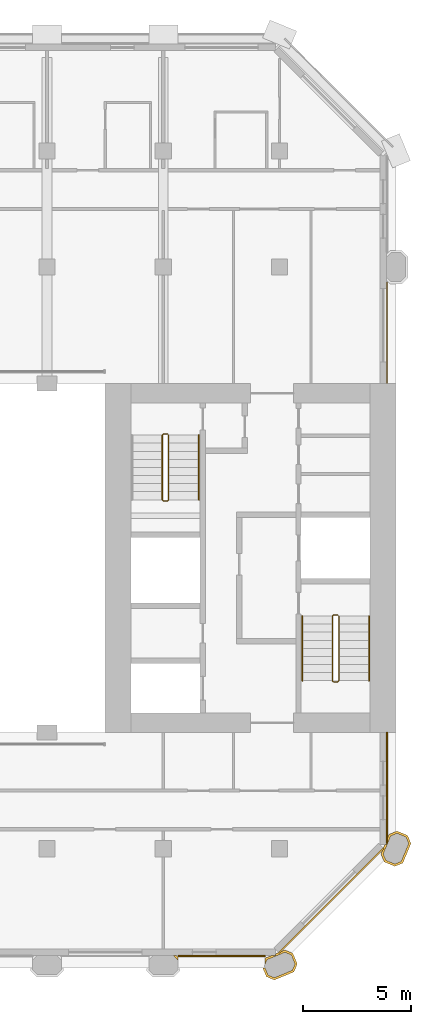
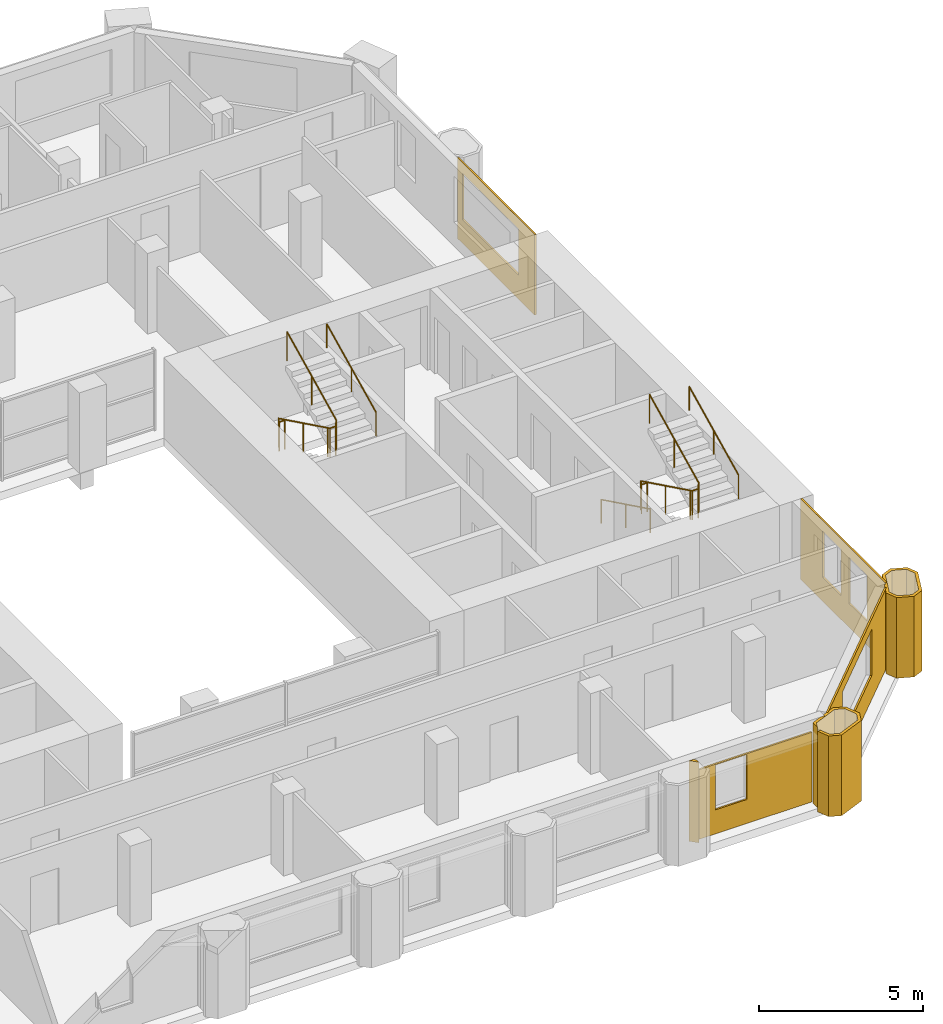
# One storey, part 13 of 14: 7 coverings, 5 railings.
"""IFC4 building model written with IfcOpenShell, lengths in metres."""

from ifc_helpers import new_model, si_unit, direction, frame, origin, origin_2d, place, context, subcontext, project, spatial, polyline, circle, outline, extrude, material, layer, layer_set, type_object, element, save


model = new_model("IFC4")

# Units and contexts
model_context = context("Model", 3, precision=1e-05, world=origin(), true_north=direction((0.0, 1.0)))
body_context = subcontext(model_context, "Body", "Model", "MODEL_VIEW")
ifc_project = project(units=[si_unit("LENGTHUNIT", "METRE"), si_unit("AREAUNIT", "SQUARE_METRE"), si_unit("VOLUMEUNIT", "CUBIC_METRE"), si_unit("PLANEANGLEUNIT", "RADIAN"), si_unit("MASSUNIT", "GRAM", prefix="KILO")], contexts=[model_context])

# Site, building, storey
site_placement = place(None, origin())
site = spatial("IfcSite", under=ifc_project, at=site_placement, CompositionType="ELEMENT")
building_placement = place(site_placement, origin())
building = spatial("IfcBuilding", under=site, at=building_placement, Name="Tabaq Tower and Sports Hall", CompositionType="ELEMENT")
storey_placement = place(building_placement, frame((0.0, 0.0, 226.89990234375)))
storey = spatial("IfcBuildingStorey", under=building, at=storey_placement, Name="L57", CompositionType="ELEMENT", Elevation=226.89990234375)

# Coverings
ifc_material_1 = material(Name="Precast concrete C60/75", Category="concrete")
ifc_layer_1 = layer(ifc_material_1, 0.10009765625)
ifc_layer_set_1 = layer_set([ifc_layer_1], Name="Column cladding 100")
covering_type_1 = type_object("IfcCoveringType", Name="Column cladding 100", PredefinedType="CLADDING", material=ifc_layer_set_1)
covering_1_placement = place(storey_placement, origin())
element("IfcCovering", 1, at=covering_1_placement, inside=storey, type_object=covering_type_1, Name="Column cladding L57 PC-7B-H3 3", PredefinedType="CLADDING", context=body_context, shape_type="SweptSolid", body=[
    extrude(outline(polyline([(33.074462890625, 5.62646484375), (32.8515625, 5.849365234375), (32.9912109375, 5.849365234375), (33.074462890625, 5.76611328125), (33.074462890625, 5.62646484375)])), origin(), (0.0, 0.0, 1.0), 3.0),
])
covering_2_placement = place(storey_placement, origin())
element("IfcCovering", 2, at=covering_2_placement, inside=storey, type_object=covering_type_1, Name="Column cladding L57 PC-8B-H3", PredefinedType="CLADDING", context=body_context, shape_type="SweptSolid", body=[
    extrude(outline(polyline([(37.023681640625, 5.249755859375), (37.125244140625, 5.249755859375), (37.125244140625, 5.26416015625), (37.26220703125, 4.93359375), (37.556396484375, 4.811767578125), (38.38818359375, 5.15625), (38.510009765625, 5.450439453125), (38.337646484375, 5.866455078125), (38.04345703125, 5.98828125), (37.2119140625, 5.643798828125), (37.125244140625, 5.434814453125), (37.125244140625, 5.694580078125), (37.1357421875, 5.7197265625), (37.44921875, 5.849609375), (37.614013671875, 5.849609375), (37.614013671875, 5.91796875), (37.767578125, 5.9814453125), (37.799072265625, 5.9501953125), (37.875, 6.026123046875), (38.04345703125, 6.095947265625), (38.413818359375, 5.9423828125), (38.61767578125, 5.450439453125), (38.46435546875, 5.080078125), (37.556396484375, 4.7041015625), (37.186279296875, 4.857421875), (37.023681640625, 5.249755859375)])), origin(), (0.0, 0.0, 1.0), 3.0),
])
covering_3_placement = place(storey_placement, origin())
element("IfcCovering", 3, at=covering_3_placement, inside=storey, type_object=covering_type_1, Name="Column cladding L57 PC-9C-H3", PredefinedType="CLADDING", context=body_context, shape_type="SweptSolid", body=[
    extrude(outline(polyline([(42.657470703125, 10.186279296875), (42.504150390625, 10.556396484375), (42.573974609375, 10.72509765625), (42.64990234375, 10.801025390625), (42.618408203125, 10.83251953125), (42.68212890625, 10.986083984375), (42.750244140625, 10.986083984375), (42.750244140625, 11.04296875), (42.810302734375, 11.04296875), (42.810302734375, 11.295654296875), (42.880126953125, 11.46435546875), (43.25048828125, 11.61767578125), (43.742431640625, 11.413818359375), (43.895751953125, 11.04345703125), (43.519775390625, 10.1357421875), (43.149658203125, 9.982421875), (42.657470703125, 10.186279296875)]), holes=[polyline([(43.66650390625, 11.337646484375), (43.25048828125, 11.510009765625), (42.956298828125, 11.38818359375), (42.61181640625, 10.556396484375), (42.733642578125, 10.26220703125), (43.149658203125, 10.08984375), (43.44384765625, 10.2119140625), (43.788330078125, 11.04345703125), (43.66650390625, 11.337646484375)])]), origin(), (0.0, 0.0, 1.0), 3.0),
])

# Railings
ifc_material_2 = material(Name="Stainless steel", Category="steel")
railing_type_1 = type_object("IfcRailingType", Name="Stair guard", PredefinedType="GUARDRAIL", material=ifc_material_2)
railing_1_placement = place(storey_placement, frame((40.5, 21.64990234375, 0.0)))
element("IfcRailing", 4, at=railing_1_placement, inside=storey, type_object=railing_type_1, Name="L57 ST3 stair guard 1", PredefinedType="GUARDRAIL", context=body_context, shape_type="SweptSolid", body=[
    extrude(circle(Radius=0.02392578125, at=origin_2d()), frame((0.0, 0.0, 1.076171875), z_axis=(-1.0, 0.0, 0.0), x_axis=(0.0, -1.0, 0.0)), (0.0, 0.0, 1.0), 0.199951171875),
    extrude(circle(Radius=0.02392578125, at=origin_2d()), frame((-0.199951171875, 0.0, 1.076171875), z_axis=(-0.254733673405, -0.25349107012, 0.933195066962), x_axis=(0.705375805398, -0.708833529934, 0.0)), (0.0, 0.0, 1.0), 0.196533203125),
    extrude(circle(Radius=0.02392578125, at=origin_2d()), frame((-0.25, -0.0498046875, 1.25927734375), z_axis=(0.0, -0.898368975038, 0.439241601728), x_axis=(1.0, 0.0, 0.0)), (0.0, 0.0, 1.0), 3.33935546875),
    extrude(circle(Radius=0.02392578125, at=origin_2d()), frame((-0.25, -3.0498046875, 2.72607421875), z_axis=(0.707106781187, -0.707106781187, 0.0), x_axis=(0.707106781187, 0.707106781187, 0.0)), (0.0, 0.0, 1.0), 0.07080078125),
    extrude(circle(Radius=0.02392578125, at=origin_2d()), frame((-0.199951171875, -3.099853515625, 2.72607421875), z_axis=(1.0, 0.0, 0.0), x_axis=(0.0, 1.0, 0.0)), (0.0, 0.0, 1.0), 0.199951171875),
    extrude(circle(Radius=0.02392578125, at=origin_2d()), frame((0.0, -3.099853515625, 2.72607421875), z_axis=(0.254653276557, 0.254653276557, 0.932900539971), x_axis=(-0.707106781187, 0.707106781187, 0.0)), (0.0, 0.0, 1.0), 0.196533203125),
    extrude(circle(Radius=0.02392578125, at=origin_2d()), frame((0.050048828125, -3.0498046875, 2.90966796875), z_axis=(0.0, 0.898397823093, 0.439182594671), x_axis=(-1.0, 0.0, 0.0)), (0.0, 0.0, 1.0), 3.33935546875),
    extrude(circle(Radius=0.02099609375, at=origin_2d()), origin(), (0.0, 0.0, 1.0), 1.052001953125),
    extrude(circle(Radius=0.02099609375, at=origin_2d()), frame((-0.199951171875, 0.0, 0.0)), (0.0, 0.0, 1.0), 1.052001953125),
    extrude(circle(Radius=0.02099609375, at=origin_2d()), frame((-0.25, -0.0498046875, 0.183349609375)), (0.0, 0.0, 1.0), 1.052001953125),
    extrude(circle(Radius=0.02099609375, at=origin_2d()), frame((-0.25, -1.5498046875, 0.916748046875)), (0.0, 0.0, 1.0), 1.052001953125),
    extrude(circle(Radius=0.02099609375, at=origin_2d()), frame((-0.25, -3.0498046875, 1.650146484375)), (0.0, 0.0, 1.0), 1.052001953125),
    extrude(circle(Radius=0.02099609375, at=origin_2d()), frame((-0.199951171875, -3.099853515625, 1.650146484375)), (0.0, 0.0, 1.0), 1.052001953125),
    extrude(circle(Radius=0.02099609375, at=origin_2d()), frame((0.0, -3.099853515625, 1.650146484375)), (0.0, 0.0, 1.0), 1.052001953125),
    extrude(circle(Radius=0.02099609375, at=origin_2d()), frame((0.050048828125, -3.0498046875, 1.83349609375)), (0.0, 0.0, 1.0), 1.052001953125),
    extrude(circle(Radius=0.02099609375, at=origin_2d()), frame((0.050048828125, -1.5498046875, 2.56689453125)), (0.0, 0.0, 1.0), 1.052001953125),
    extrude(circle(Radius=0.02099609375, at=origin_2d()), frame((0.050048828125, -0.0498046875, 3.300048828125)), (0.0, 0.0, 1.0), 1.052001953125),
])
railing_2_placement = place(storey_placement, frame((32.60009765625, 30.050048828125, 0.0)))
element("IfcRailing", 5, at=railing_2_placement, inside=storey, type_object=railing_type_1, Name="L57 ST4 stair guard 1", PredefinedType="GUARDRAIL", context=body_context, shape_type="SweptSolid", body=[
    extrude(circle(Radius=0.02392578125, at=origin_2d()), frame((0.0, 0.0, 1.076171875), z_axis=(-1.0, 0.0, 0.0), x_axis=(0.0, -1.0, 0.0)), (0.0, 0.0, 1.0), 0.2001953125),
    extrude(circle(Radius=0.02392578125, at=origin_2d()), frame((-0.2001953125, 0.0, 1.076171875), z_axis=(-0.25349107012, -0.254733673405, 0.933195066962), x_axis=(0.708833529934, -0.705375805398, 0.0)), (0.0, 0.0, 1.0), 0.196533203125),
    extrude(circle(Radius=0.02392578125, at=origin_2d()), frame((-0.25, -0.050048828125, 1.25927734375), z_axis=(0.0, -0.898368975038, 0.439241601728), x_axis=(1.0, 0.0, 0.0)), (0.0, 0.0, 1.0), 3.33935546875),
    extrude(circle(Radius=0.02392578125, at=origin_2d()), frame((-0.25, -3.050048828125, 2.72607421875), z_axis=(0.705375805398, -0.708833529934, 0.0), x_axis=(0.708833529934, 0.705375805398, 0.0)), (0.0, 0.0, 1.0), 0.070556640625),
    extrude(circle(Radius=0.02392578125, at=origin_2d()), frame((-0.2001953125, -3.10009765625, 2.72607421875), z_axis=(1.0, 0.0, 0.0), x_axis=(0.0, 1.0, 0.0)), (0.0, 0.0, 1.0), 0.2001953125),
    extrude(circle(Radius=0.02392578125, at=origin_2d()), frame((0.0, -3.10009765625, 2.72607421875), z_axis=(0.25349107012, 0.254733673405, 0.933195066962), x_axis=(-0.708833529934, 0.705375805398, 0.0)), (0.0, 0.0, 1.0), 0.196533203125),
    extrude(circle(Radius=0.02392578125, at=origin_2d()), frame((0.0498046875, -3.050048828125, 2.90966796875), z_axis=(0.0, 0.898397823093, 0.439182594671), x_axis=(-1.0, 0.0, 0.0)), (0.0, 0.0, 1.0), 3.33935546875),
    extrude(circle(Radius=0.02099609375, at=origin_2d()), origin(), (0.0, 0.0, 1.0), 1.052001953125),
    extrude(circle(Radius=0.02099609375, at=origin_2d()), frame((-0.2001953125, 0.0, 0.0)), (0.0, 0.0, 1.0), 1.052001953125),
    extrude(circle(Radius=0.02099609375, at=origin_2d()), frame((-0.25, -0.050048828125, 0.183349609375)), (0.0, 0.0, 1.0), 1.052001953125),
    extrude(circle(Radius=0.02099609375, at=origin_2d()), frame((-0.25, -1.550048828125, 0.916748046875)), (0.0, 0.0, 1.0), 1.052001953125),
    extrude(circle(Radius=0.02099609375, at=origin_2d()), frame((-0.25, -3.050048828125, 1.650146484375)), (0.0, 0.0, 1.0), 1.052001953125),
    extrude(circle(Radius=0.02099609375, at=origin_2d()), frame((-0.2001953125, -3.10009765625, 1.650146484375)), (0.0, 0.0, 1.0), 1.052001953125),
    extrude(circle(Radius=0.02099609375, at=origin_2d()), frame((0.0, -3.10009765625, 1.650146484375)), (0.0, 0.0, 1.0), 1.052001953125),
    extrude(circle(Radius=0.02099609375, at=origin_2d()), frame((0.0498046875, -3.050048828125, 1.83349609375)), (0.0, 0.0, 1.0), 1.052001953125),
    extrude(circle(Radius=0.02099609375, at=origin_2d()), frame((0.0498046875, -1.550048828125, 2.56689453125)), (0.0, 0.0, 1.0), 1.052001953125),
    extrude(circle(Radius=0.02099609375, at=origin_2d()), frame((0.0498046875, -0.050048828125, 3.300048828125)), (0.0, 0.0, 1.0), 1.052001953125),
])
ifc_material_3 = material(Name="Stainless steel", Category="steel")
railing_type_2 = type_object("IfcRailingType", Name="Stair handrail", PredefinedType="HANDRAIL", material=ifc_material_3)
railing_3_placement = place(storey_placement, frame((38.85009765625, 21.60009765625, 0.183349609375)))
element("IfcRailing", 6, at=railing_3_placement, inside=storey, type_object=railing_type_2, Name="L57 ST3 stair handrail 1", PredefinedType="HANDRAIL", context=body_context, shape_type="SweptSolid", body=[
    extrude(circle(Radius=0.02392578125, at=origin_2d()), frame((0.0, 0.0, 0.8759765625), z_axis=(0.0, -0.898368975038, 0.439241601728), x_axis=(1.0, 0.0, 0.0)), (0.0, 0.0, 1.0), 3.33935546875),
    extrude(circle(Radius=0.02099609375, at=origin_2d()), origin(), (0.0, 0.0, 1.0), 0.851806640625),
    extrude(circle(Radius=0.02099609375, at=origin_2d()), frame((0.0, -1.5, 0.7333984375)), (0.0, 0.0, 1.0), 0.851806640625),
    extrude(circle(Radius=0.02099609375, at=origin_2d()), frame((0.0, -3.0, 1.466796875)), (0.0, 0.0, 1.0), 0.851806640625),
])
for number, where, name in (
    (7, (41.949951171875, 18.60009765625, 1.83349609375), "L57 ST3 stair handrail 2"),
    (8, (34.050048828125, 27.0, 1.83349609375), "L57 ST4 stair handrail 2"),
):
    element("IfcRailing", number, at=place(storey_placement, frame(where)), inside=storey, type_object=railing_type_2, Name=name, PredefinedType="HANDRAIL", context=body_context, shape_type="SweptSolid", body=[
        extrude(circle(Radius=0.02392578125, at=origin_2d()), frame((0.0, 0.0, 0.8759765625), z_axis=(0.0, 0.898397823093, 0.439182594671), x_axis=(-1.0, 0.0, 0.0)), (0.0, 0.0, 1.0), 3.33935546875),
        extrude(circle(Radius=0.02099609375, at=origin_2d()), origin(), (0.0, 0.0, 1.0), 0.851806640625),
        extrude(circle(Radius=0.02099609375, at=origin_2d()), frame((0.0, 1.5, 0.7333984375)), (0.0, 0.0, 1.0), 0.851806640625),
        extrude(circle(Radius=0.02099609375, at=origin_2d()), frame((0.0, 3.0, 1.466552734375)), (0.0, 0.0, 1.0), 0.851806640625),
    ])

# Coverings
ifc_material_4 = material(Name="Precast concrete C60/75", Category="concrete")
ifc_layer_2 = layer(ifc_material_4, 0.06005859375)
ifc_layer_set_2 = layer_set([ifc_layer_2], Name="White precast cladding panel 60 C60/75")
covering_type_2 = type_object("IfcCoveringType", Name="White precast cladding panel 60 C60/75", PredefinedType="CLADDING", material=ifc_layer_set_2)
covering_4_placement = place(storey_placement, frame((33.0849609375, 5.820068359375, 0.0), z_axis=(0.0, 0.0, 1.0), x_axis=(1.0, 0.0, 0.0)))
element("IfcCovering", 9, at=covering_4_placement, inside=storey, type_object=covering_type_2, Name="White precast cladding panel L57 wall00 6", PredefinedType="CLADDING", context=body_context, shape_type="SweptSolid", body=[
    extrude(outline(polyline([(0.0, 0.0), (4.050048828125, 0.0), (4.050048828125, 2.590087890625), (0.0, 2.590087890625), (0.0, 0.0)]), holes=[polyline([(1.77490234375, 0.89013671875), (0.655029296875, 0.89013671875), (0.655029296875, 2.56005859375), (1.77490234375, 2.56005859375), (1.77490234375, 0.89013671875)])]), frame((0.0, 0.030029296875, 0.0), z_axis=(0.0, -1.0, 0.0), x_axis=(1.0, 0.0, 0.0)), (0.0, 0.0, 1.0), 0.06005859375),
])
covering_5_placement = place(storey_placement, frame((37.77783203125, 5.9716796875, 0.0), z_axis=(0.0, 0.0, 1.0), x_axis=(0.707088985397, 0.707124576528, 0.0)))
element("IfcCovering", 10, at=covering_5_placement, inside=storey, type_object=covering_type_2, Name="White precast cladding panel L57 wall01", PredefinedType="CLADDING", context=body_context, shape_type="SweptSolid", body=[
    extrude(outline(polyline([(0.0, 0.0), (6.859619140625, 0.0), (6.859619140625, 3.0), (0.0, 3.0), (0.0, 0.0)]), holes=[polyline([(1.7197265625, 0.89013671875), (1.7197265625, 2.610107421875), (5.139892578125, 2.610107421875), (5.139892578125, 0.89013671875), (1.7197265625, 0.89013671875)])]), frame((0.0, 0.030029296875, 0.0), z_axis=(0.0, -1.0, 0.0), x_axis=(1.0, 0.0, 0.0)), (0.0, 0.0, 1.0), 0.06005859375),
])
covering_6_placement = place(storey_placement, frame((42.780029296875, 11.043212890625, 0.0), z_axis=(0.0, 0.0, 1.0), x_axis=(0.0, 1.0, 0.0)))
element("IfcCovering", 11, at=covering_6_placement, inside=storey, type_object=covering_type_2, Name="White precast cladding panel L57 wall02", PredefinedType="CLADDING", context=body_context, shape_type="SweptSolid", body=[
    extrude(outline(polyline([(0.0, 0.0), (5.15673828125, 0.0), (5.15673828125, 3.0), (0.0, 3.0), (0.0, 0.0)]), holes=[polyline([(1.096923828125, 2.610107421875), (2.216796875, 2.610107421875), (2.216796875, 0.89013671875), (1.096923828125, 0.89013671875), (1.096923828125, 2.610107421875)]), polyline([(2.69677734375, 2.610107421875), (3.81689453125, 2.610107421875), (3.81689453125, 0.89013671875), (2.69677734375, 0.89013671875), (2.69677734375, 2.610107421875)])]), frame((0.0, 0.030029296875, 0.0), z_axis=(0.0, -1.0, 0.0), x_axis=(1.0, 0.0, 0.0)), (0.0, 0.0, 1.0), 0.06005859375),
])
covering_7_placement = place(storey_placement, frame((42.780029296875, 32.39990234375, 0.0), z_axis=(0.0, 0.0, 1.0), x_axis=(0.0, 1.0, 0.0)))
element("IfcCovering", 12, at=covering_7_placement, inside=storey, type_object=covering_type_2, Name="White precast cladding panel L57 wall02-1", PredefinedType="CLADDING", context=body_context, shape_type="SweptSolid", body=[
    extrude(outline(polyline([(0.0, 0.0), (4.715087890625, 0.0), (4.715087890625, 3.0), (0.0, 3.0), (0.0, 0.0)]), holes=[polyline([(0.989990234375, 0.89013671875), (0.989990234375, 2.610107421875), (4.409912109375, 2.610107421875), (4.409912109375, 0.89013671875), (0.989990234375, 0.89013671875)])]), frame((0.0, 0.030029296875, 0.0), z_axis=(0.0, -1.0, 0.0), x_axis=(1.0, 0.0, 0.0)), (0.0, 0.0, 1.0), 0.06005859375),
])

save(model, "model.ifc")
